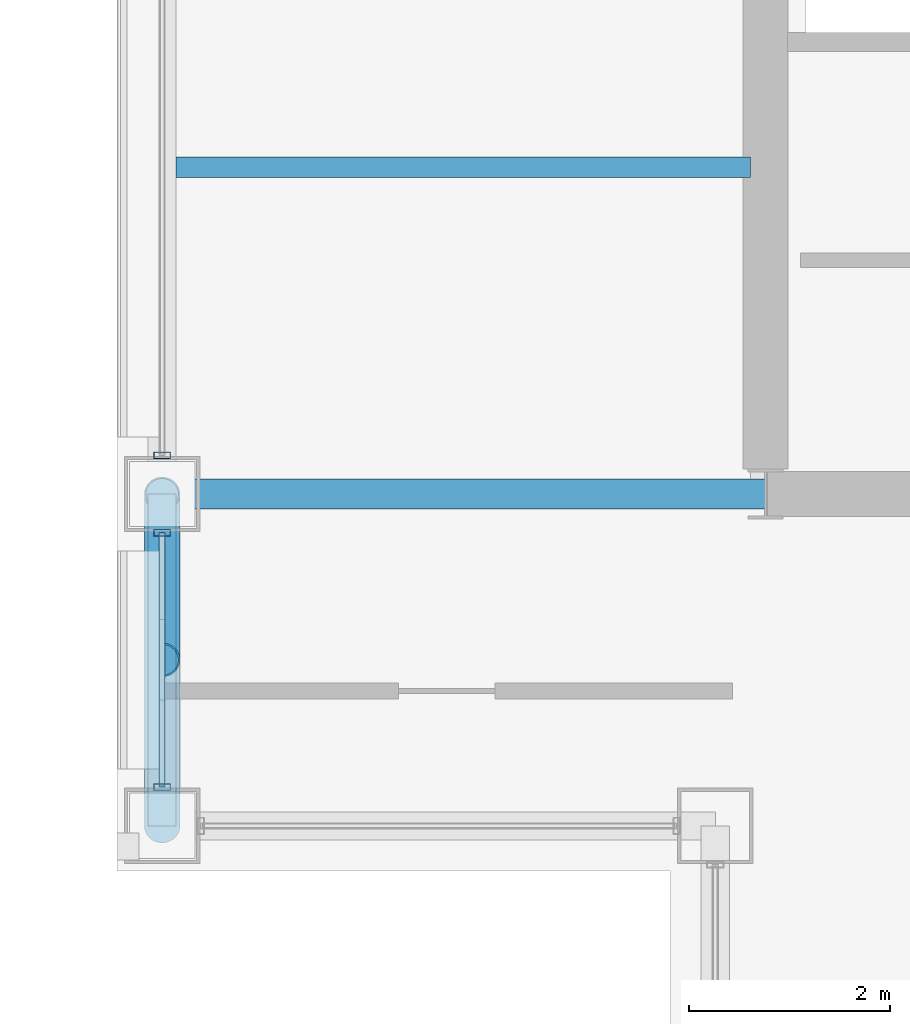
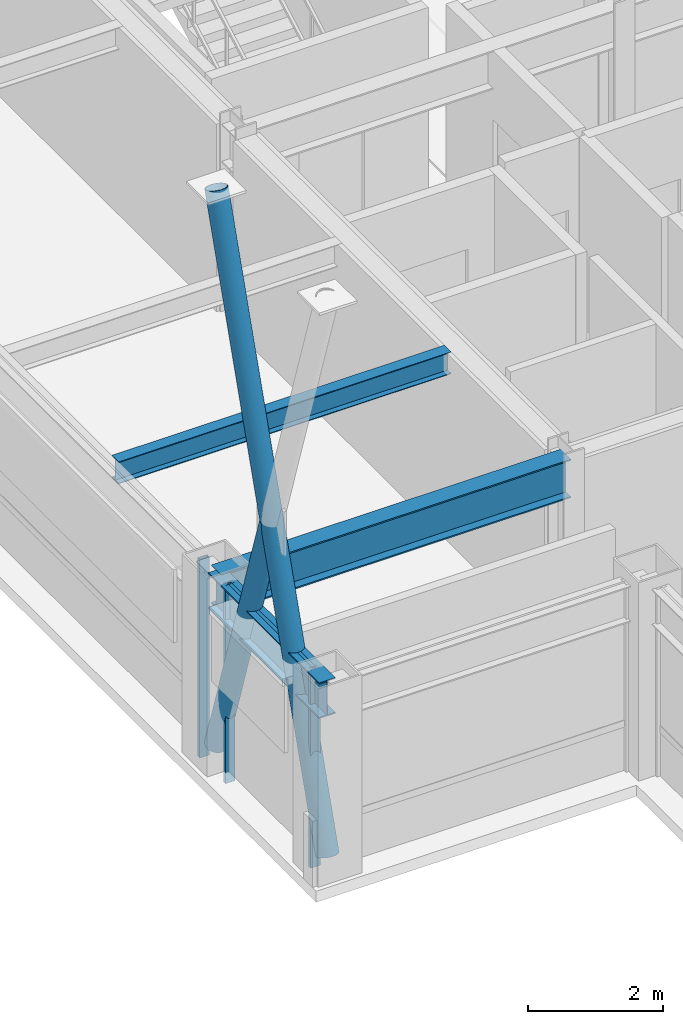
# One storey, part 5 of 32: 6 members, 3 beams, 2 elements without a shape of their own.
"""IFC4 building model written with IfcOpenShell, lengths in metres."""

from ifc_helpers import new_model, si_unit, direction, frame, origin, origin_2d, place, context, subcontext, project, spatial, hollow_rectangle, hollow_circle, i_section, extrude, material, layer, layer_set, material_profile, profile_set, type_object, element, aggregate, save


model = new_model("IFC4")

# Units and contexts
model_context = context("Model", 3, precision=1e-05, world=origin(), true_north=direction((0.0, 1.0)))
body_context = subcontext(model_context, "Body", "Model", "MODEL_VIEW")
ifc_project = project(units=[si_unit("LENGTHUNIT", "METRE"), si_unit("AREAUNIT", "SQUARE_METRE"), si_unit("VOLUMEUNIT", "CUBIC_METRE"), si_unit("PLANEANGLEUNIT", "RADIAN"), si_unit("MASSUNIT", "GRAM", prefix="KILO")], contexts=[model_context])

# Site, building, storey
site_placement = place(None, origin())
site = spatial("IfcSite", under=ifc_project, at=site_placement, CompositionType="ELEMENT")
building_placement = place(site_placement, origin())
building = spatial("IfcBuilding", under=site, at=building_placement, Name="Brelmoor Portico Tower", CompositionType="ELEMENT")
storey_placement = place(building_placement, frame((0.0, 0.0, 162.300048828125)))
storey = spatial("IfcBuildingStorey", under=building, at=storey_placement, Name="L42", CompositionType="ELEMENT", Elevation=162.300048828125)

# Beams
ifc_material_1 = material(Name="Steel Q355B", Category="steel")
ifc_material_profile_1 = material_profile(ifc_material_1, i_section(OverallWidth=0.199951171875, OverallDepth=0.39990234375, WebThickness=0.008056640625, FlangeThickness=0.012939453125, at=origin_2d()), Name="HN 400x200x8x13")
ifc_profile_set_1 = profile_set([ifc_material_profile_1], Name="Steel Q355B")
beam_type_1 = type_object("IfcBeamType", Name="BM-JS-400", PredefinedType="JOIST", material=ifc_profile_set_1)
beam_1_placement = place(storey_placement, frame((-20.409912109375, -6.5, 3.199951171875), z_axis=(1.0, 0.0, 0.0), x_axis=(0.0, 1.0, 0.0)))
element("IfcBeam", 1, at=beam_1_placement, inside=storey, type_object=beam_type_1, Name="L42 Secondary Wing Joist JS-W05", PredefinedType="JOIST", context=body_context, shape_type="SweptSolid", body=[
    extrude(i_section(OverallWidth=0.199951171875, OverallDepth=0.39990234375, WebThickness=0.008056640625, FlangeThickness=0.012939453125, at=origin_2d()), origin(), (0.0, 0.0, 1.0), 5.7099609375),
])
ifc_material_profile_2 = material_profile(ifc_material_1, i_section(OverallWidth=0.300048828125, OverallDepth=0.699951171875, WebThickness=0.012939453125, FlangeThickness=0.02392578125, at=origin_2d()), Name="HN 700x300x13x24")
ifc_profile_set_2 = profile_set([ifc_material_profile_2], Name="Steel Q355B")
beam_type_2 = type_object("IfcBeamType", Name="BM-PG-700", PredefinedType="BEAM", material=ifc_profile_set_2)
beam_2_placement = place(storey_placement, frame((-20.550048828125, -9.75, 3.050048828125), z_axis=(1.0, 0.0, 0.0), x_axis=(0.0, 1.0, 0.0)))
element("IfcBeam", 2, at=beam_2_placement, inside=storey, type_object=beam_type_2, Name="L42 Primary Floor Girder PG-11", PredefinedType="BEAM", context=body_context, shape_type="SweptSolid", body=[
    extrude(i_section(OverallWidth=0.300048828125, OverallDepth=0.699951171875, WebThickness=0.012939453125, FlangeThickness=0.02392578125, at=origin_2d()), origin(), (0.0, 0.0, 1.0), 6.0),
])
ifc_material_profile_3 = material_profile(ifc_material_1, i_section(OverallWidth=0.280029296875, OverallDepth=0.64990234375, WebThickness=0.012939453125, FlangeThickness=0.02197265625, at=origin_2d()), Name="HN 650x280x13x22")
ifc_profile_set_3 = profile_set([ifc_material_profile_3], Name="Steel Q355B")
beam_type_3 = type_object("IfcBeamType", Name="BM-SP-650", PredefinedType="SPANDREL", material=ifc_profile_set_3)
beam_3_placement = place(storey_placement, frame((-20.550048828125, -13.050048828125, 3.074951171875), z_axis=(0.0, 1.0, 0.0), x_axis=(-1.0, 0.0, 0.0)))
element("IfcBeam", 3, at=beam_3_placement, inside=storey, type_object=beam_type_3, Name="L42 Perimeter Spandrel Beam SP-11", PredefinedType="SPANDREL", context=body_context, shape_type="SweptSolid", body=[
    extrude(i_section(OverallWidth=0.280029296875, OverallDepth=0.64990234375, WebThickness=0.012939453125, FlangeThickness=0.02197265625, at=origin_2d()), origin(), (0.0, 0.0, 1.0), 3.300048828125),
])

# Members
ifc_material_profile_4 = material_profile(ifc_material_1, hollow_circle(Radius=0.177978515625, WallThickness=0.01611328125, at=origin_2d()), Name="CHS 356x16")
ifc_profile_set_4 = profile_set([ifc_material_profile_4], Name="Steel Q355B")
member_type_1 = type_object("IfcMemberType", Name="MB-BELT-DIAG2", PredefinedType="BRACE", material=ifc_profile_set_4)
member_1_placement = place(storey_placement, frame((-20.550048828125, -13.050048828125, 0.25), z_axis=(0.0, 0.310583561842, 0.950546080479), x_axis=(-1.0, 0.0, 0.0)))
element("IfcMember", 4, at=member_1_placement, inside=storey, type_object=member_type_1, Name="L42 Continuous Mega-X Brace 094A", PredefinedType="BRACE", context=body_context, shape_type="SweptSolid", body=[
    extrude(hollow_circle(Radius=0.177978515625, WallThickness=0.01611328125, at=origin_2d()), origin(), (0.0, 0.0, 1.0), 10.625244140625),
])
member_2_placement = place(storey_placement, frame((-20.550048828125, -9.75, 0.25), z_axis=(0.0, -0.310556017859, 0.95055507982), x_axis=(1.0, 0.0, 0.0)))
element("IfcMember", 5, at=member_2_placement, inside=storey, type_object=member_type_1, Name="L42 Split Mega-X Brace 094B1", PredefinedType="BRACE", context=body_context, shape_type="SweptSolid", body=[
    extrude(hollow_circle(Radius=0.177978515625, WallThickness=0.01611328125, at=origin_2d()), origin(), (0.0, 0.0, 1.0), 5.312744140625),
])

# Curtain wall, members
ifc_material_2 = material(Name="Anodised Aluminium Alloy 6063-T6", Category="aluminium")
ifc_layer_1 = layer(ifc_material_2, 0.179931640625)
ifc_layer_set_1 = layer_set([ifc_layer_1], Name="Anodised Aluminium Alloy 6063-T6")
curtain_wall_type_1 = type_object("IfcCurtainWallType", Name="CW-TOWER-Z3-XB", PredefinedType="NOTDEFINED", material=ifc_layer_set_1)
curtain_wall_1_placement = place(storey_placement, origin())
curtain_wall_1 = element("IfcCurtainWall", 6, at=curtain_wall_1_placement, inside=storey, type_object=curtain_wall_type_1, Name="L42 Curtain Wall CW-L42-3L-1", PredefinedType="NOTDEFINED")
ifc_material_profile_5 = material_profile(ifc_material_2, hollow_rectangle(XDim=0.06494140625, YDim=0.1650390625, WallThickness=0.00390625, at=origin_2d()), Name="ALU MULLION 65x165")
ifc_profile_set_5 = profile_set([ifc_material_profile_5], Name="Anodised Aluminium Alloy 6063-T6")
member_type_2 = type_object("IfcMemberType", Name="MB-CW-MULL-165", PredefinedType="MULLION", material=ifc_profile_set_5)
member_3_placement = place(storey_placement, frame((-20.550048828125, -12.6650390625, -0.199951171875), z_axis=(0.0, 0.0, 1.0), x_axis=(0.0, 1.0, 0.0)))
member_3 = element("IfcMember", 7, at=member_3_placement, type_object=member_type_2, Name="CW-L42-3L-1 Mullion 00", PredefinedType="MULLION", context=body_context, shape_type="SweptSolid", body=[
    extrude(hollow_rectangle(XDim=0.06494140625, YDim=0.1650390625, WallThickness=0.00390625, at=origin_2d()), origin(), (0.0, 0.0, 1.0), 3.599853515625),
])
member_4_placement = place(storey_placement, frame((-20.550048828125, -10.135009765625, -0.199951171875), z_axis=(0.0, 0.0, 1.0), x_axis=(0.0, 1.0, 0.0)))
member_4 = element("IfcMember", 8, at=member_4_placement, type_object=member_type_2, Name="CW-L42-3L-1 Mullion 01", PredefinedType="MULLION", context=body_context, shape_type="SweptSolid", body=[
    extrude(hollow_rectangle(XDim=0.06494140625, YDim=0.1650390625, WallThickness=0.00390625, at=origin_2d()), origin(), (0.0, 0.0, 1.0), 3.599853515625),
])

# Curtain wall, member
ifc_layer_2 = layer(ifc_material_2, 0.179931640625)
ifc_layer_set_2 = layer_set([ifc_layer_2], Name="Anodised Aluminium Alloy 6063-T6")
curtain_wall_type_2 = type_object("IfcCurtainWallType", Name="CW-TOWER-Z3", PredefinedType="NOTDEFINED", material=ifc_layer_set_2)
curtain_wall_2_placement = place(storey_placement, origin())
curtain_wall_2 = element("IfcCurtainWall", 9, at=curtain_wall_2_placement, inside=storey, type_object=curtain_wall_type_2, Name="L42 Curtain Wall CW-L42-3L-2", PredefinedType="NOTDEFINED")
member_5_placement = place(storey_placement, frame((-20.550048828125, -9.364990234375, -0.199951171875), z_axis=(0.0, 0.0, 1.0), x_axis=(0.0, 1.0, 0.0)))
member_5 = element("IfcMember", 10, at=member_5_placement, type_object=member_type_2, Name="CW-L42-3L-2 Mullion 00", PredefinedType="MULLION", context=body_context, shape_type="SweptSolid", body=[
    extrude(hollow_rectangle(XDim=0.06494140625, YDim=0.1650390625, WallThickness=0.00390625, at=origin_2d()), origin(), (0.0, 0.0, 1.0), 3.599853515625),
])
aggregate(curtain_wall_2, [member_5])

# Member
ifc_material_profile_6 = material_profile(ifc_material_2, hollow_rectangle(XDim=0.06005859375, YDim=0.125, WallThickness=0.00341796875, at=origin_2d()), Name="ALU TRANSOM 60x125")
ifc_profile_set_6 = profile_set([ifc_material_profile_6], Name="Anodised Aluminium Alloy 6063-T6")
member_type_3 = type_object("IfcMemberType", Name="MB-CW-TRAN-125", PredefinedType="USERDEFINED", material=ifc_profile_set_6)
member_6_placement = place(storey_placement, frame((-20.550048828125, -12.6650390625, 3.33740234375), z_axis=(0.0, 1.0, 0.0), x_axis=(-1.0, 0.0, 0.0)))
member_6 = element("IfcMember", 11, at=member_6_placement, type_object=member_type_3, Name="CW-L42-3L-1 Transom 1-00", ObjectType="TRANSOM", PredefinedType="USERDEFINED", context=body_context, shape_type="SweptSolid", body=[
    extrude(hollow_rectangle(XDim=0.06005859375, YDim=0.125, WallThickness=0.00341796875, at=origin_2d()), origin(), (0.0, 0.0, 1.0), 2.530029296875),
])

aggregate(curtain_wall_1, [member_3, member_4, member_6])

save(model, "model.ifc")
